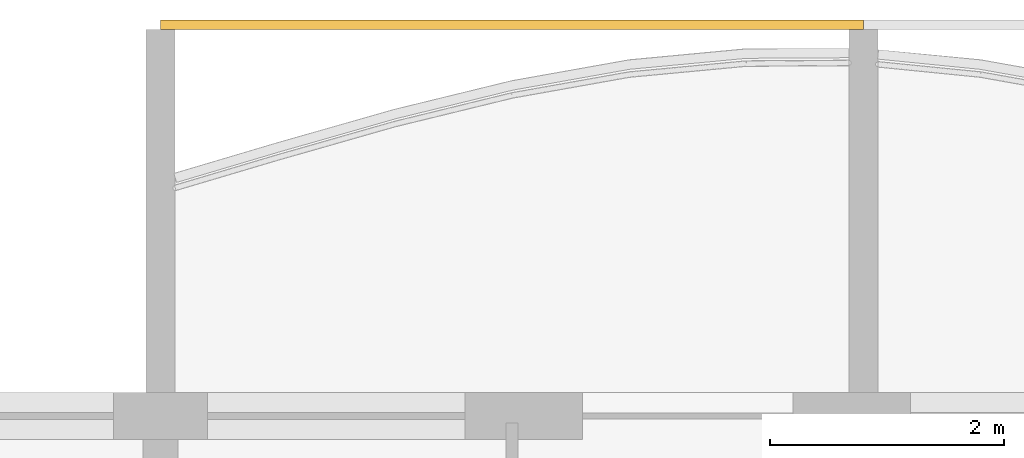
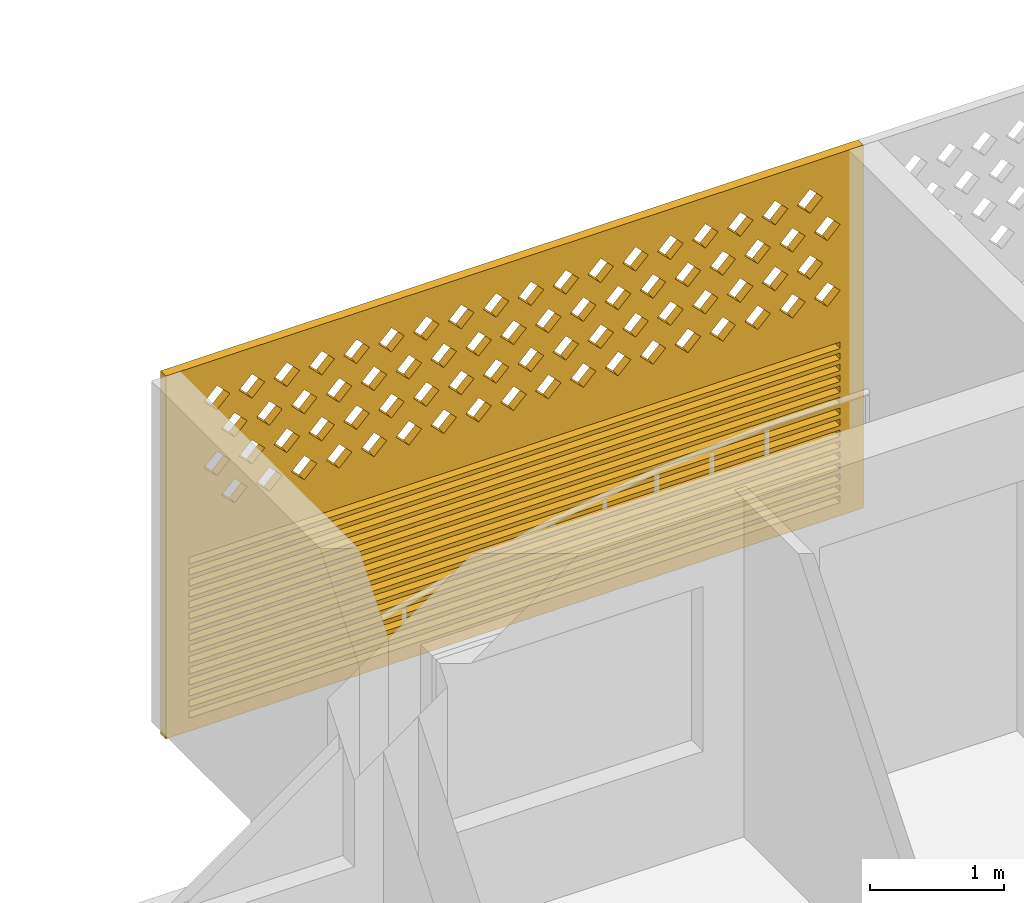
# One storey, part 29 of 33: 1 covering.
"""IFC4 building model written with IfcOpenShell, lengths in metres."""

from ifc_helpers import new_model, si_unit, direction, frame, origin, place, context, subcontext, project, spatial, polyline, outline, extrude, source, transform, mapped, material, material_profile, profile_set, type_object, element, save


model = new_model("IFC4")

# Units and contexts
model_context = context("Model", 3, precision=1e-05, world=origin(), true_north=direction((0.0, 1.0)))
body_context = subcontext(model_context, "Body", "Model", "MODEL_VIEW")
ifc_project = project(units=[si_unit("LENGTHUNIT", "METRE"), si_unit("AREAUNIT", "SQUARE_METRE"), si_unit("VOLUMEUNIT", "CUBIC_METRE"), si_unit("PLANEANGLEUNIT", "RADIAN"), si_unit("MASSUNIT", "GRAM", prefix="KILO")], contexts=[model_context])

# Site, building, storey
site_placement = place(None, origin())
site = spatial("IfcSite", under=ifc_project, at=site_placement, CompositionType="ELEMENT")
building_placement = place(site_placement, origin())
building = spatial("IfcBuilding", under=site, at=building_placement, Name="Poui Terraces", CompositionType="ELEMENT")
storey_placement = place(building_placement, frame((0.0, 0.0, 132.300048828125)))
storey = spatial("IfcBuildingStorey", under=building, at=storey_placement, Name="L36", CompositionType="ELEMENT", Elevation=132.300048828125)

# Covering
ifc_material = material(Name="Terracotta screen", Category="masonry")
ifc_material_profile = material_profile(ifc_material, outline(polyline([(-3.0, -1.64990234375), (3.0, -1.64990234375), (3.0, 1.64990234375), (-3.0, 1.64990234375), (-3.0, -1.64990234375)]), holes=[polyline([(-2.800048828125, 0.39990234375), (-2.68994140625, 0.2900390625), (-2.580078125, 0.39990234375), (-2.68994140625, 0.510009765625), (-2.800048828125, 0.39990234375)]), polyline([(-2.5, 0.39990234375), (-2.389892578125, 0.2900390625), (-2.280029296875, 0.39990234375), (-2.389892578125, 0.510009765625), (-2.5, 0.39990234375)]), polyline([(-2.199951171875, 0.39990234375), (-2.090087890625, 0.2900390625), (-1.97998046875, 0.39990234375), (-2.090087890625, 0.510009765625), (-2.199951171875, 0.39990234375)]), polyline([(-1.89990234375, 0.39990234375), (-1.7900390625, 0.2900390625), (-1.679931640625, 0.39990234375), (-1.7900390625, 0.510009765625), (-1.89990234375, 0.39990234375)]), polyline([(-1.60009765625, 0.39990234375), (-1.489990234375, 0.2900390625), (-1.3798828125, 0.39990234375), (-1.489990234375, 0.510009765625), (-1.60009765625, 0.39990234375)]), polyline([(-1.300048828125, 0.39990234375), (-1.18994140625, 0.2900390625), (-1.080078125, 0.39990234375), (-1.18994140625, 0.510009765625), (-1.300048828125, 0.39990234375)]), polyline([(-1.0, 0.39990234375), (-0.889892578125, 0.2900390625), (-0.780029296875, 0.39990234375), (-0.889892578125, 0.510009765625), (-1.0, 0.39990234375)]), polyline([(-0.699951171875, 0.39990234375), (-0.590087890625, 0.2900390625), (-0.47998046875, 0.39990234375), (-0.590087890625, 0.510009765625), (-0.699951171875, 0.39990234375)]), polyline([(-0.39990234375, 0.39990234375), (-0.2900390625, 0.2900390625), (-0.179931640625, 0.39990234375), (-0.2900390625, 0.510009765625), (-0.39990234375, 0.39990234375)]), polyline([(-0.10009765625, 0.39990234375), (0.010009765625, 0.2900390625), (0.1201171875, 0.39990234375), (0.010009765625, 0.510009765625), (-0.10009765625, 0.39990234375)]), polyline([(0.199951171875, 0.39990234375), (0.31005859375, 0.2900390625), (0.419921875, 0.39990234375), (0.31005859375, 0.510009765625), (0.199951171875, 0.39990234375)]), polyline([(0.5, 0.39990234375), (0.610107421875, 0.2900390625), (0.719970703125, 0.39990234375), (0.610107421875, 0.510009765625), (0.5, 0.39990234375)]), polyline([(0.800048828125, 0.39990234375), (0.909912109375, 0.2900390625), (1.02001953125, 0.39990234375), (0.909912109375, 0.510009765625), (0.800048828125, 0.39990234375)]), polyline([(1.10009765625, 0.39990234375), (1.2099609375, 0.2900390625), (1.320068359375, 0.39990234375), (1.2099609375, 0.510009765625), (1.10009765625, 0.39990234375)]), polyline([(1.39990234375, 0.39990234375), (1.510009765625, 0.2900390625), (1.6201171875, 0.39990234375), (1.510009765625, 0.510009765625), (1.39990234375, 0.39990234375)]), polyline([(1.699951171875, 0.39990234375), (1.81005859375, 0.2900390625), (1.919921875, 0.39990234375), (1.81005859375, 0.510009765625), (1.699951171875, 0.39990234375)]), polyline([(2.0, 0.39990234375), (2.110107421875, 0.2900390625), (2.219970703125, 0.39990234375), (2.110107421875, 0.510009765625), (2.0, 0.39990234375)]), polyline([(2.300048828125, 0.39990234375), (2.409912109375, 0.2900390625), (2.52001953125, 0.39990234375), (2.409912109375, 0.510009765625), (2.300048828125, 0.39990234375)]), polyline([(-2.64990234375, 0.699951171875), (-2.5400390625, 0.590087890625), (-2.429931640625, 0.699951171875), (-2.5400390625, 0.81005859375), (-2.64990234375, 0.699951171875)]), polyline([(-2.35009765625, 0.699951171875), (-2.239990234375, 0.590087890625), (-2.1298828125, 0.699951171875), (-2.239990234375, 0.81005859375), (-2.35009765625, 0.699951171875)]), polyline([(-2.050048828125, 0.699951171875), (-1.93994140625, 0.590087890625), (-1.830078125, 0.699951171875), (-1.93994140625, 0.81005859375), (-2.050048828125, 0.699951171875)]), polyline([(-1.75, 0.699951171875), (-1.639892578125, 0.590087890625), (-1.530029296875, 0.699951171875), (-1.639892578125, 0.81005859375), (-1.75, 0.699951171875)]), polyline([(-1.449951171875, 0.699951171875), (-1.340087890625, 0.590087890625), (-1.22998046875, 0.699951171875), (-1.340087890625, 0.81005859375), (-1.449951171875, 0.699951171875)]), polyline([(-1.14990234375, 0.699951171875), (-1.0400390625, 0.590087890625), (-0.929931640625, 0.699951171875), (-1.0400390625, 0.81005859375), (-1.14990234375, 0.699951171875)]), polyline([(-0.85009765625, 0.699951171875), (-0.739990234375, 0.590087890625), (-0.6298828125, 0.699951171875), (-0.739990234375, 0.81005859375), (-0.85009765625, 0.699951171875)]), polyline([(-0.550048828125, 0.699951171875), (-0.43994140625, 0.590087890625), (-0.330078125, 0.699951171875), (-0.43994140625, 0.81005859375), (-0.550048828125, 0.699951171875)]), polyline([(-0.25, 0.699951171875), (-0.139892578125, 0.590087890625), (-0.030029296875, 0.699951171875), (-0.139892578125, 0.81005859375), (-0.25, 0.699951171875)]), polyline([(0.050048828125, 0.699951171875), (0.159912109375, 0.590087890625), (0.27001953125, 0.699951171875), (0.159912109375, 0.81005859375), (0.050048828125, 0.699951171875)]), polyline([(0.35009765625, 0.699951171875), (0.4599609375, 0.590087890625), (0.570068359375, 0.699951171875), (0.4599609375, 0.81005859375), (0.35009765625, 0.699951171875)]), polyline([(0.64990234375, 0.699951171875), (0.760009765625, 0.590087890625), (0.8701171875, 0.699951171875), (0.760009765625, 0.81005859375), (0.64990234375, 0.699951171875)]), polyline([(0.949951171875, 0.699951171875), (1.06005859375, 0.590087890625), (1.169921875, 0.699951171875), (1.06005859375, 0.81005859375), (0.949951171875, 0.699951171875)]), polyline([(1.25, 0.699951171875), (1.360107421875, 0.590087890625), (1.469970703125, 0.699951171875), (1.360107421875, 0.81005859375), (1.25, 0.699951171875)]), polyline([(1.550048828125, 0.699951171875), (1.659912109375, 0.590087890625), (1.77001953125, 0.699951171875), (1.659912109375, 0.81005859375), (1.550048828125, 0.699951171875)]), polyline([(1.85009765625, 0.699951171875), (1.9599609375, 0.590087890625), (2.070068359375, 0.699951171875), (1.9599609375, 0.81005859375), (1.85009765625, 0.699951171875)]), polyline([(2.14990234375, 0.699951171875), (2.260009765625, 0.590087890625), (2.3701171875, 0.699951171875), (2.260009765625, 0.81005859375), (2.14990234375, 0.699951171875)]), polyline([(2.449951171875, 0.699951171875), (2.56005859375, 0.590087890625), (2.669921875, 0.699951171875), (2.56005859375, 0.81005859375), (2.449951171875, 0.699951171875)]), polyline([(-2.800048828125, 1.0), (-2.68994140625, 0.889892578125), (-2.580078125, 1.0), (-2.68994140625, 1.110107421875), (-2.800048828125, 1.0)]), polyline([(-2.5, 1.0), (-2.389892578125, 0.889892578125), (-2.280029296875, 1.0), (-2.389892578125, 1.110107421875), (-2.5, 1.0)]), polyline([(-2.199951171875, 1.0), (-2.090087890625, 0.889892578125), (-1.97998046875, 1.0), (-2.090087890625, 1.110107421875), (-2.199951171875, 1.0)]), polyline([(-1.89990234375, 1.0), (-1.7900390625, 0.889892578125), (-1.679931640625, 1.0), (-1.7900390625, 1.110107421875), (-1.89990234375, 1.0)]), polyline([(-1.60009765625, 1.0), (-1.489990234375, 0.889892578125), (-1.3798828125, 1.0), (-1.489990234375, 1.110107421875), (-1.60009765625, 1.0)]), polyline([(-1.300048828125, 1.0), (-1.18994140625, 0.889892578125), (-1.080078125, 1.0), (-1.18994140625, 1.110107421875), (-1.300048828125, 1.0)]), polyline([(-1.0, 1.0), (-0.889892578125, 0.889892578125), (-0.780029296875, 1.0), (-0.889892578125, 1.110107421875), (-1.0, 1.0)]), polyline([(-0.699951171875, 1.0), (-0.590087890625, 0.889892578125), (-0.47998046875, 1.0), (-0.590087890625, 1.110107421875), (-0.699951171875, 1.0)]), polyline([(-0.39990234375, 1.0), (-0.2900390625, 0.889892578125), (-0.179931640625, 1.0), (-0.2900390625, 1.110107421875), (-0.39990234375, 1.0)]), polyline([(-0.10009765625, 1.0), (0.010009765625, 0.889892578125), (0.1201171875, 1.0), (0.010009765625, 1.110107421875), (-0.10009765625, 1.0)]), polyline([(0.199951171875, 1.0), (0.31005859375, 0.889892578125), (0.419921875, 1.0), (0.31005859375, 1.110107421875), (0.199951171875, 1.0)]), polyline([(0.5, 1.0), (0.610107421875, 0.889892578125), (0.719970703125, 1.0), (0.610107421875, 1.110107421875), (0.5, 1.0)]), polyline([(0.800048828125, 1.0), (0.909912109375, 0.889892578125), (1.02001953125, 1.0), (0.909912109375, 1.110107421875), (0.800048828125, 1.0)]), polyline([(1.10009765625, 1.0), (1.2099609375, 0.889892578125), (1.320068359375, 1.0), (1.2099609375, 1.110107421875), (1.10009765625, 1.0)]), polyline([(1.39990234375, 1.0), (1.510009765625, 0.889892578125), (1.6201171875, 1.0), (1.510009765625, 1.110107421875), (1.39990234375, 1.0)]), polyline([(1.699951171875, 1.0), (1.81005859375, 0.889892578125), (1.919921875, 1.0), (1.81005859375, 1.110107421875), (1.699951171875, 1.0)]), polyline([(2.0, 1.0), (2.110107421875, 0.889892578125), (2.219970703125, 1.0), (2.110107421875, 1.110107421875), (2.0, 1.0)]), polyline([(2.300048828125, 1.0), (2.409912109375, 0.889892578125), (2.52001953125, 1.0), (2.409912109375, 1.110107421875), (2.300048828125, 1.0)]), polyline([(-2.64990234375, 1.300048828125), (-2.5400390625, 1.18994140625), (-2.429931640625, 1.300048828125), (-2.5400390625, 1.409912109375), (-2.64990234375, 1.300048828125)]), polyline([(-2.35009765625, 1.300048828125), (-2.239990234375, 1.18994140625), (-2.1298828125, 1.300048828125), (-2.239990234375, 1.409912109375), (-2.35009765625, 1.300048828125)]), polyline([(-2.050048828125, 1.300048828125), (-1.93994140625, 1.18994140625), (-1.830078125, 1.300048828125), (-1.93994140625, 1.409912109375), (-2.050048828125, 1.300048828125)]), polyline([(-1.75, 1.300048828125), (-1.639892578125, 1.18994140625), (-1.530029296875, 1.300048828125), (-1.639892578125, 1.409912109375), (-1.75, 1.300048828125)]), polyline([(-1.449951171875, 1.300048828125), (-1.340087890625, 1.18994140625), (-1.22998046875, 1.300048828125), (-1.340087890625, 1.409912109375), (-1.449951171875, 1.300048828125)]), polyline([(-1.14990234375, 1.300048828125), (-1.0400390625, 1.18994140625), (-0.929931640625, 1.300048828125), (-1.0400390625, 1.409912109375), (-1.14990234375, 1.300048828125)]), polyline([(-0.85009765625, 1.300048828125), (-0.739990234375, 1.18994140625), (-0.6298828125, 1.300048828125), (-0.739990234375, 1.409912109375), (-0.85009765625, 1.300048828125)]), polyline([(-0.550048828125, 1.300048828125), (-0.43994140625, 1.18994140625), (-0.330078125, 1.300048828125), (-0.43994140625, 1.409912109375), (-0.550048828125, 1.300048828125)]), polyline([(-0.25, 1.300048828125), (-0.139892578125, 1.18994140625), (-0.030029296875, 1.300048828125), (-0.139892578125, 1.409912109375), (-0.25, 1.300048828125)]), polyline([(0.050048828125, 1.300048828125), (0.159912109375, 1.18994140625), (0.27001953125, 1.300048828125), (0.159912109375, 1.409912109375), (0.050048828125, 1.300048828125)]), polyline([(0.35009765625, 1.300048828125), (0.4599609375, 1.18994140625), (0.570068359375, 1.300048828125), (0.4599609375, 1.409912109375), (0.35009765625, 1.300048828125)]), polyline([(0.64990234375, 1.300048828125), (0.760009765625, 1.18994140625), (0.8701171875, 1.300048828125), (0.760009765625, 1.409912109375), (0.64990234375, 1.300048828125)]), polyline([(0.949951171875, 1.300048828125), (1.06005859375, 1.18994140625), (1.169921875, 1.300048828125), (1.06005859375, 1.409912109375), (0.949951171875, 1.300048828125)]), polyline([(1.25, 1.300048828125), (1.360107421875, 1.18994140625), (1.469970703125, 1.300048828125), (1.360107421875, 1.409912109375), (1.25, 1.300048828125)]), polyline([(1.550048828125, 1.300048828125), (1.659912109375, 1.18994140625), (1.77001953125, 1.300048828125), (1.659912109375, 1.409912109375), (1.550048828125, 1.300048828125)]), polyline([(1.85009765625, 1.300048828125), (1.9599609375, 1.18994140625), (2.070068359375, 1.300048828125), (1.9599609375, 1.409912109375), (1.85009765625, 1.300048828125)]), polyline([(2.14990234375, 1.300048828125), (2.260009765625, 1.18994140625), (2.3701171875, 1.300048828125), (2.260009765625, 1.409912109375), (2.14990234375, 1.300048828125)]), polyline([(2.449951171875, 1.300048828125), (2.56005859375, 1.18994140625), (2.669921875, 1.300048828125), (2.56005859375, 1.409912109375), (2.449951171875, 1.300048828125)]), polyline([(-2.800048828125, -1.530029296875), (2.800048828125, -1.530029296875), (2.800048828125, -1.469970703125), (-2.800048828125, -1.469970703125), (-2.800048828125, -1.530029296875)]), polyline([(-2.800048828125, -1.429931640625), (2.800048828125, -1.429931640625), (2.800048828125, -1.3701171875), (-2.800048828125, -1.3701171875), (-2.800048828125, -1.429931640625)]), polyline([(-2.800048828125, -1.330078125), (2.800048828125, -1.330078125), (2.800048828125, -1.27001953125), (-2.800048828125, -1.27001953125), (-2.800048828125, -1.330078125)]), polyline([(-2.800048828125, -1.22998046875), (2.800048828125, -1.22998046875), (2.800048828125, -1.169921875), (-2.800048828125, -1.169921875), (-2.800048828125, -1.22998046875)]), polyline([(-2.800048828125, -1.1298828125), (2.800048828125, -1.1298828125), (2.800048828125, -1.070068359375), (-2.800048828125, -1.070068359375), (-2.800048828125, -1.1298828125)]), polyline([(-2.800048828125, -1.030029296875), (2.800048828125, -1.030029296875), (2.800048828125, -0.969970703125), (-2.800048828125, -0.969970703125), (-2.800048828125, -1.030029296875)]), polyline([(-2.800048828125, -0.929931640625), (2.800048828125, -0.929931640625), (2.800048828125, -0.8701171875), (-2.800048828125, -0.8701171875), (-2.800048828125, -0.929931640625)]), polyline([(-2.800048828125, -0.830078125), (2.800048828125, -0.830078125), (2.800048828125, -0.77001953125), (-2.800048828125, -0.77001953125), (-2.800048828125, -0.830078125)]), polyline([(-2.800048828125, -0.72998046875), (2.800048828125, -0.72998046875), (2.800048828125, -0.669921875), (-2.800048828125, -0.669921875), (-2.800048828125, -0.72998046875)]), polyline([(-2.800048828125, -0.6298828125), (2.800048828125, -0.6298828125), (2.800048828125, -0.570068359375), (-2.800048828125, -0.570068359375), (-2.800048828125, -0.6298828125)]), polyline([(-2.800048828125, -0.530029296875), (2.800048828125, -0.530029296875), (2.800048828125, -0.469970703125), (-2.800048828125, -0.469970703125), (-2.800048828125, -0.530029296875)]), polyline([(-2.800048828125, -0.429931640625), (2.800048828125, -0.429931640625), (2.800048828125, -0.3701171875), (-2.800048828125, -0.3701171875), (-2.800048828125, -0.429931640625)]), polyline([(-2.800048828125, -0.330078125), (2.800048828125, -0.330078125), (2.800048828125, -0.27001953125), (-2.800048828125, -0.27001953125), (-2.800048828125, -0.330078125)]), polyline([(-2.800048828125, -0.22998046875), (2.800048828125, -0.22998046875), (2.800048828125, -0.169921875), (-2.800048828125, -0.169921875), (-2.800048828125, -0.22998046875)]), polyline([(-2.800048828125, -0.1298828125), (2.800048828125, -0.1298828125), (2.800048828125, -0.070068359375), (-2.800048828125, -0.070068359375), (-2.800048828125, -0.1298828125)])]), Name="TERRACOTTA SCREEN AND JALOUSIE LOUVRE 6000X3300")
ifc_profile_set = profile_set([ifc_material_profile], Name="Terracotta screen")
covering_type = type_object("IfcCoveringType", Name="TERRACOTTA SCREEN AND JALOUSIE LOUVRE 6000X3300", PredefinedType="CLADDING", material=ifc_profile_set)
shared_shape = source(origin(), body_context, "Body", "SweptSolid", [
    extrude(outline(polyline([(-3.0, -1.64990234375), (3.0, -1.64990234375), (3.0, 1.64990234375), (-3.0, 1.64990234375), (-3.0, -1.64990234375)]), holes=[polyline([(-2.800048828125, 0.39990234375), (-2.68994140625, 0.2900390625), (-2.580078125, 0.39990234375), (-2.68994140625, 0.510009765625), (-2.800048828125, 0.39990234375)]), polyline([(-2.5, 0.39990234375), (-2.389892578125, 0.2900390625), (-2.280029296875, 0.39990234375), (-2.389892578125, 0.510009765625), (-2.5, 0.39990234375)]), polyline([(-2.199951171875, 0.39990234375), (-2.090087890625, 0.2900390625), (-1.97998046875, 0.39990234375), (-2.090087890625, 0.510009765625), (-2.199951171875, 0.39990234375)]), polyline([(-1.89990234375, 0.39990234375), (-1.7900390625, 0.2900390625), (-1.679931640625, 0.39990234375), (-1.7900390625, 0.510009765625), (-1.89990234375, 0.39990234375)]), polyline([(-1.60009765625, 0.39990234375), (-1.489990234375, 0.2900390625), (-1.3798828125, 0.39990234375), (-1.489990234375, 0.510009765625), (-1.60009765625, 0.39990234375)]), polyline([(-1.300048828125, 0.39990234375), (-1.18994140625, 0.2900390625), (-1.080078125, 0.39990234375), (-1.18994140625, 0.510009765625), (-1.300048828125, 0.39990234375)]), polyline([(-1.0, 0.39990234375), (-0.889892578125, 0.2900390625), (-0.780029296875, 0.39990234375), (-0.889892578125, 0.510009765625), (-1.0, 0.39990234375)]), polyline([(-0.699951171875, 0.39990234375), (-0.590087890625, 0.2900390625), (-0.47998046875, 0.39990234375), (-0.590087890625, 0.510009765625), (-0.699951171875, 0.39990234375)]), polyline([(-0.39990234375, 0.39990234375), (-0.2900390625, 0.2900390625), (-0.179931640625, 0.39990234375), (-0.2900390625, 0.510009765625), (-0.39990234375, 0.39990234375)]), polyline([(-0.10009765625, 0.39990234375), (0.010009765625, 0.2900390625), (0.1201171875, 0.39990234375), (0.010009765625, 0.510009765625), (-0.10009765625, 0.39990234375)]), polyline([(0.199951171875, 0.39990234375), (0.31005859375, 0.2900390625), (0.419921875, 0.39990234375), (0.31005859375, 0.510009765625), (0.199951171875, 0.39990234375)]), polyline([(0.5, 0.39990234375), (0.610107421875, 0.2900390625), (0.719970703125, 0.39990234375), (0.610107421875, 0.510009765625), (0.5, 0.39990234375)]), polyline([(0.800048828125, 0.39990234375), (0.909912109375, 0.2900390625), (1.02001953125, 0.39990234375), (0.909912109375, 0.510009765625), (0.800048828125, 0.39990234375)]), polyline([(1.10009765625, 0.39990234375), (1.2099609375, 0.2900390625), (1.320068359375, 0.39990234375), (1.2099609375, 0.510009765625), (1.10009765625, 0.39990234375)]), polyline([(1.39990234375, 0.39990234375), (1.510009765625, 0.2900390625), (1.6201171875, 0.39990234375), (1.510009765625, 0.510009765625), (1.39990234375, 0.39990234375)]), polyline([(1.699951171875, 0.39990234375), (1.81005859375, 0.2900390625), (1.919921875, 0.39990234375), (1.81005859375, 0.510009765625), (1.699951171875, 0.39990234375)]), polyline([(2.0, 0.39990234375), (2.110107421875, 0.2900390625), (2.219970703125, 0.39990234375), (2.110107421875, 0.510009765625), (2.0, 0.39990234375)]), polyline([(2.300048828125, 0.39990234375), (2.409912109375, 0.2900390625), (2.52001953125, 0.39990234375), (2.409912109375, 0.510009765625), (2.300048828125, 0.39990234375)]), polyline([(-2.64990234375, 0.699951171875), (-2.5400390625, 0.590087890625), (-2.429931640625, 0.699951171875), (-2.5400390625, 0.81005859375), (-2.64990234375, 0.699951171875)]), polyline([(-2.35009765625, 0.699951171875), (-2.239990234375, 0.590087890625), (-2.1298828125, 0.699951171875), (-2.239990234375, 0.81005859375), (-2.35009765625, 0.699951171875)]), polyline([(-2.050048828125, 0.699951171875), (-1.93994140625, 0.590087890625), (-1.830078125, 0.699951171875), (-1.93994140625, 0.81005859375), (-2.050048828125, 0.699951171875)]), polyline([(-1.75, 0.699951171875), (-1.639892578125, 0.590087890625), (-1.530029296875, 0.699951171875), (-1.639892578125, 0.81005859375), (-1.75, 0.699951171875)]), polyline([(-1.449951171875, 0.699951171875), (-1.340087890625, 0.590087890625), (-1.22998046875, 0.699951171875), (-1.340087890625, 0.81005859375), (-1.449951171875, 0.699951171875)]), polyline([(-1.14990234375, 0.699951171875), (-1.0400390625, 0.590087890625), (-0.929931640625, 0.699951171875), (-1.0400390625, 0.81005859375), (-1.14990234375, 0.699951171875)]), polyline([(-0.85009765625, 0.699951171875), (-0.739990234375, 0.590087890625), (-0.6298828125, 0.699951171875), (-0.739990234375, 0.81005859375), (-0.85009765625, 0.699951171875)]), polyline([(-0.550048828125, 0.699951171875), (-0.43994140625, 0.590087890625), (-0.330078125, 0.699951171875), (-0.43994140625, 0.81005859375), (-0.550048828125, 0.699951171875)]), polyline([(-0.25, 0.699951171875), (-0.139892578125, 0.590087890625), (-0.030029296875, 0.699951171875), (-0.139892578125, 0.81005859375), (-0.25, 0.699951171875)]), polyline([(0.050048828125, 0.699951171875), (0.159912109375, 0.590087890625), (0.27001953125, 0.699951171875), (0.159912109375, 0.81005859375), (0.050048828125, 0.699951171875)]), polyline([(0.35009765625, 0.699951171875), (0.4599609375, 0.590087890625), (0.570068359375, 0.699951171875), (0.4599609375, 0.81005859375), (0.35009765625, 0.699951171875)]), polyline([(0.64990234375, 0.699951171875), (0.760009765625, 0.590087890625), (0.8701171875, 0.699951171875), (0.760009765625, 0.81005859375), (0.64990234375, 0.699951171875)]), polyline([(0.949951171875, 0.699951171875), (1.06005859375, 0.590087890625), (1.169921875, 0.699951171875), (1.06005859375, 0.81005859375), (0.949951171875, 0.699951171875)]), polyline([(1.25, 0.699951171875), (1.360107421875, 0.590087890625), (1.469970703125, 0.699951171875), (1.360107421875, 0.81005859375), (1.25, 0.699951171875)]), polyline([(1.550048828125, 0.699951171875), (1.659912109375, 0.590087890625), (1.77001953125, 0.699951171875), (1.659912109375, 0.81005859375), (1.550048828125, 0.699951171875)]), polyline([(1.85009765625, 0.699951171875), (1.9599609375, 0.590087890625), (2.070068359375, 0.699951171875), (1.9599609375, 0.81005859375), (1.85009765625, 0.699951171875)]), polyline([(2.14990234375, 0.699951171875), (2.260009765625, 0.590087890625), (2.3701171875, 0.699951171875), (2.260009765625, 0.81005859375), (2.14990234375, 0.699951171875)]), polyline([(2.449951171875, 0.699951171875), (2.56005859375, 0.590087890625), (2.669921875, 0.699951171875), (2.56005859375, 0.81005859375), (2.449951171875, 0.699951171875)]), polyline([(-2.800048828125, 1.0), (-2.68994140625, 0.889892578125), (-2.580078125, 1.0), (-2.68994140625, 1.110107421875), (-2.800048828125, 1.0)]), polyline([(-2.5, 1.0), (-2.389892578125, 0.889892578125), (-2.280029296875, 1.0), (-2.389892578125, 1.110107421875), (-2.5, 1.0)]), polyline([(-2.199951171875, 1.0), (-2.090087890625, 0.889892578125), (-1.97998046875, 1.0), (-2.090087890625, 1.110107421875), (-2.199951171875, 1.0)]), polyline([(-1.89990234375, 1.0), (-1.7900390625, 0.889892578125), (-1.679931640625, 1.0), (-1.7900390625, 1.110107421875), (-1.89990234375, 1.0)]), polyline([(-1.60009765625, 1.0), (-1.489990234375, 0.889892578125), (-1.3798828125, 1.0), (-1.489990234375, 1.110107421875), (-1.60009765625, 1.0)]), polyline([(-1.300048828125, 1.0), (-1.18994140625, 0.889892578125), (-1.080078125, 1.0), (-1.18994140625, 1.110107421875), (-1.300048828125, 1.0)]), polyline([(-1.0, 1.0), (-0.889892578125, 0.889892578125), (-0.780029296875, 1.0), (-0.889892578125, 1.110107421875), (-1.0, 1.0)]), polyline([(-0.699951171875, 1.0), (-0.590087890625, 0.889892578125), (-0.47998046875, 1.0), (-0.590087890625, 1.110107421875), (-0.699951171875, 1.0)]), polyline([(-0.39990234375, 1.0), (-0.2900390625, 0.889892578125), (-0.179931640625, 1.0), (-0.2900390625, 1.110107421875), (-0.39990234375, 1.0)]), polyline([(-0.10009765625, 1.0), (0.010009765625, 0.889892578125), (0.1201171875, 1.0), (0.010009765625, 1.110107421875), (-0.10009765625, 1.0)]), polyline([(0.199951171875, 1.0), (0.31005859375, 0.889892578125), (0.419921875, 1.0), (0.31005859375, 1.110107421875), (0.199951171875, 1.0)]), polyline([(0.5, 1.0), (0.610107421875, 0.889892578125), (0.719970703125, 1.0), (0.610107421875, 1.110107421875), (0.5, 1.0)]), polyline([(0.800048828125, 1.0), (0.909912109375, 0.889892578125), (1.02001953125, 1.0), (0.909912109375, 1.110107421875), (0.800048828125, 1.0)]), polyline([(1.10009765625, 1.0), (1.2099609375, 0.889892578125), (1.320068359375, 1.0), (1.2099609375, 1.110107421875), (1.10009765625, 1.0)]), polyline([(1.39990234375, 1.0), (1.510009765625, 0.889892578125), (1.6201171875, 1.0), (1.510009765625, 1.110107421875), (1.39990234375, 1.0)]), polyline([(1.699951171875, 1.0), (1.81005859375, 0.889892578125), (1.919921875, 1.0), (1.81005859375, 1.110107421875), (1.699951171875, 1.0)]), polyline([(2.0, 1.0), (2.110107421875, 0.889892578125), (2.219970703125, 1.0), (2.110107421875, 1.110107421875), (2.0, 1.0)]), polyline([(2.300048828125, 1.0), (2.409912109375, 0.889892578125), (2.52001953125, 1.0), (2.409912109375, 1.110107421875), (2.300048828125, 1.0)]), polyline([(-2.64990234375, 1.300048828125), (-2.5400390625, 1.18994140625), (-2.429931640625, 1.300048828125), (-2.5400390625, 1.409912109375), (-2.64990234375, 1.300048828125)]), polyline([(-2.35009765625, 1.300048828125), (-2.239990234375, 1.18994140625), (-2.1298828125, 1.300048828125), (-2.239990234375, 1.409912109375), (-2.35009765625, 1.300048828125)]), polyline([(-2.050048828125, 1.300048828125), (-1.93994140625, 1.18994140625), (-1.830078125, 1.300048828125), (-1.93994140625, 1.409912109375), (-2.050048828125, 1.300048828125)]), polyline([(-1.75, 1.300048828125), (-1.639892578125, 1.18994140625), (-1.530029296875, 1.300048828125), (-1.639892578125, 1.409912109375), (-1.75, 1.300048828125)]), polyline([(-1.449951171875, 1.300048828125), (-1.340087890625, 1.18994140625), (-1.22998046875, 1.300048828125), (-1.340087890625, 1.409912109375), (-1.449951171875, 1.300048828125)]), polyline([(-1.14990234375, 1.300048828125), (-1.0400390625, 1.18994140625), (-0.929931640625, 1.300048828125), (-1.0400390625, 1.409912109375), (-1.14990234375, 1.300048828125)]), polyline([(-0.85009765625, 1.300048828125), (-0.739990234375, 1.18994140625), (-0.6298828125, 1.300048828125), (-0.739990234375, 1.409912109375), (-0.85009765625, 1.300048828125)]), polyline([(-0.550048828125, 1.300048828125), (-0.43994140625, 1.18994140625), (-0.330078125, 1.300048828125), (-0.43994140625, 1.409912109375), (-0.550048828125, 1.300048828125)]), polyline([(-0.25, 1.300048828125), (-0.139892578125, 1.18994140625), (-0.030029296875, 1.300048828125), (-0.139892578125, 1.409912109375), (-0.25, 1.300048828125)]), polyline([(0.050048828125, 1.300048828125), (0.159912109375, 1.18994140625), (0.27001953125, 1.300048828125), (0.159912109375, 1.409912109375), (0.050048828125, 1.300048828125)]), polyline([(0.35009765625, 1.300048828125), (0.4599609375, 1.18994140625), (0.570068359375, 1.300048828125), (0.4599609375, 1.409912109375), (0.35009765625, 1.300048828125)]), polyline([(0.64990234375, 1.300048828125), (0.760009765625, 1.18994140625), (0.8701171875, 1.300048828125), (0.760009765625, 1.409912109375), (0.64990234375, 1.300048828125)]), polyline([(0.949951171875, 1.300048828125), (1.06005859375, 1.18994140625), (1.169921875, 1.300048828125), (1.06005859375, 1.409912109375), (0.949951171875, 1.300048828125)]), polyline([(1.25, 1.300048828125), (1.360107421875, 1.18994140625), (1.469970703125, 1.300048828125), (1.360107421875, 1.409912109375), (1.25, 1.300048828125)]), polyline([(1.550048828125, 1.300048828125), (1.659912109375, 1.18994140625), (1.77001953125, 1.300048828125), (1.659912109375, 1.409912109375), (1.550048828125, 1.300048828125)]), polyline([(1.85009765625, 1.300048828125), (1.9599609375, 1.18994140625), (2.070068359375, 1.300048828125), (1.9599609375, 1.409912109375), (1.85009765625, 1.300048828125)]), polyline([(2.14990234375, 1.300048828125), (2.260009765625, 1.18994140625), (2.3701171875, 1.300048828125), (2.260009765625, 1.409912109375), (2.14990234375, 1.300048828125)]), polyline([(2.449951171875, 1.300048828125), (2.56005859375, 1.18994140625), (2.669921875, 1.300048828125), (2.56005859375, 1.409912109375), (2.449951171875, 1.300048828125)]), polyline([(-2.800048828125, -1.530029296875), (2.800048828125, -1.530029296875), (2.800048828125, -1.469970703125), (-2.800048828125, -1.469970703125), (-2.800048828125, -1.530029296875)]), polyline([(-2.800048828125, -1.429931640625), (2.800048828125, -1.429931640625), (2.800048828125, -1.3701171875), (-2.800048828125, -1.3701171875), (-2.800048828125, -1.429931640625)]), polyline([(-2.800048828125, -1.330078125), (2.800048828125, -1.330078125), (2.800048828125, -1.27001953125), (-2.800048828125, -1.27001953125), (-2.800048828125, -1.330078125)]), polyline([(-2.800048828125, -1.22998046875), (2.800048828125, -1.22998046875), (2.800048828125, -1.169921875), (-2.800048828125, -1.169921875), (-2.800048828125, -1.22998046875)]), polyline([(-2.800048828125, -1.1298828125), (2.800048828125, -1.1298828125), (2.800048828125, -1.070068359375), (-2.800048828125, -1.070068359375), (-2.800048828125, -1.1298828125)]), polyline([(-2.800048828125, -1.030029296875), (2.800048828125, -1.030029296875), (2.800048828125, -0.969970703125), (-2.800048828125, -0.969970703125), (-2.800048828125, -1.030029296875)]), polyline([(-2.800048828125, -0.929931640625), (2.800048828125, -0.929931640625), (2.800048828125, -0.8701171875), (-2.800048828125, -0.8701171875), (-2.800048828125, -0.929931640625)]), polyline([(-2.800048828125, -0.830078125), (2.800048828125, -0.830078125), (2.800048828125, -0.77001953125), (-2.800048828125, -0.77001953125), (-2.800048828125, -0.830078125)]), polyline([(-2.800048828125, -0.72998046875), (2.800048828125, -0.72998046875), (2.800048828125, -0.669921875), (-2.800048828125, -0.669921875), (-2.800048828125, -0.72998046875)]), polyline([(-2.800048828125, -0.6298828125), (2.800048828125, -0.6298828125), (2.800048828125, -0.570068359375), (-2.800048828125, -0.570068359375), (-2.800048828125, -0.6298828125)]), polyline([(-2.800048828125, -0.530029296875), (2.800048828125, -0.530029296875), (2.800048828125, -0.469970703125), (-2.800048828125, -0.469970703125), (-2.800048828125, -0.530029296875)]), polyline([(-2.800048828125, -0.429931640625), (2.800048828125, -0.429931640625), (2.800048828125, -0.3701171875), (-2.800048828125, -0.3701171875), (-2.800048828125, -0.429931640625)]), polyline([(-2.800048828125, -0.330078125), (2.800048828125, -0.330078125), (2.800048828125, -0.27001953125), (-2.800048828125, -0.27001953125), (-2.800048828125, -0.330078125)]), polyline([(-2.800048828125, -0.22998046875), (2.800048828125, -0.22998046875), (2.800048828125, -0.169921875), (-2.800048828125, -0.169921875), (-2.800048828125, -0.22998046875)]), polyline([(-2.800048828125, -0.1298828125), (2.800048828125, -0.1298828125), (2.800048828125, -0.070068359375), (-2.800048828125, -0.070068359375), (-2.800048828125, -0.1298828125)])]), origin(), (0.0, 0.0, 1.0), 0.080078125),
])
covering_placement = place(storey_placement, frame((69.0, 45.699951171875, 1.449951171875), z_axis=(0.0, 1.0, 0.0), x_axis=(-1.0, 0.0, 0.0)))
element("IfcCovering", 1, at=covering_placement, inside=storey, type_object=covering_type, Name="SOLAR SCREEN AND JALOUSIE LOUVRE", PredefinedType="CLADDING", context=body_context, shape_type="MappedRepresentation", body=[
    mapped(shared_shape, transform((0.0, 0.0, 0.0))),
])

save(model, "model.ifc")
